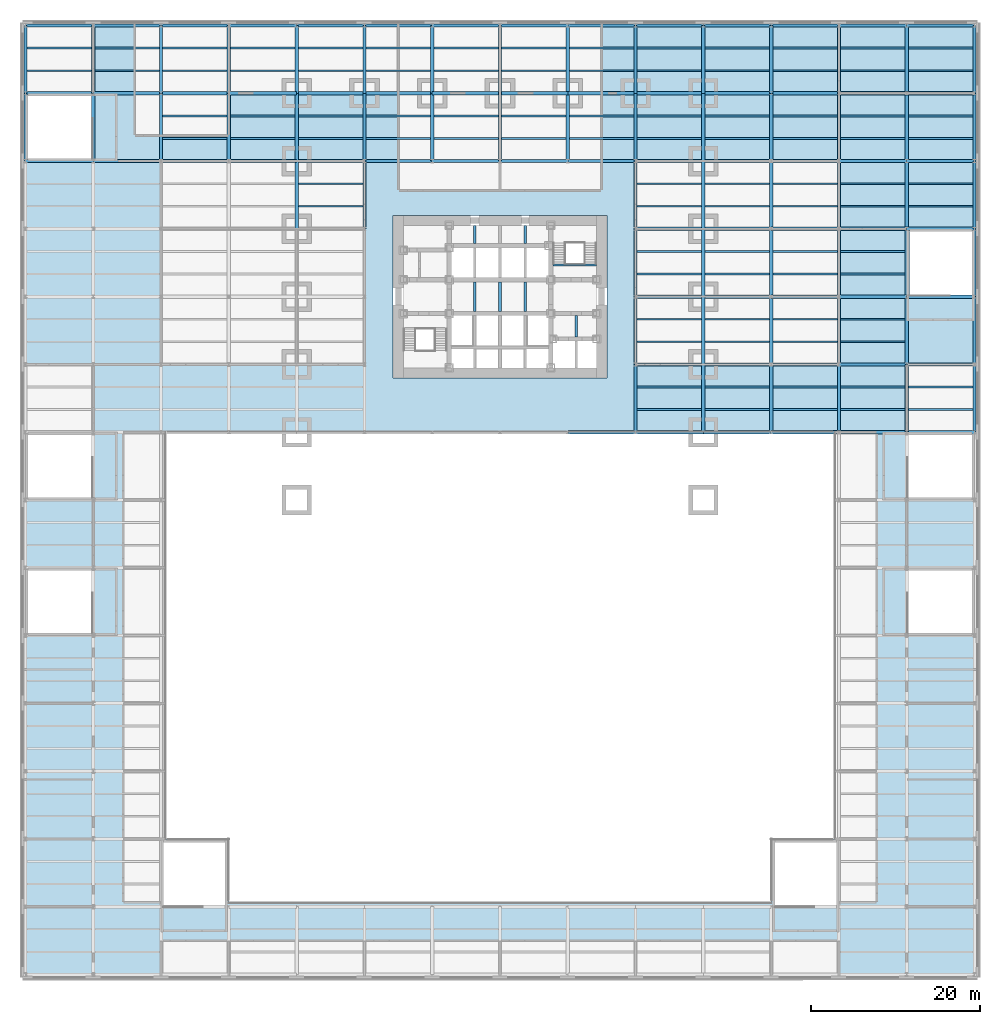
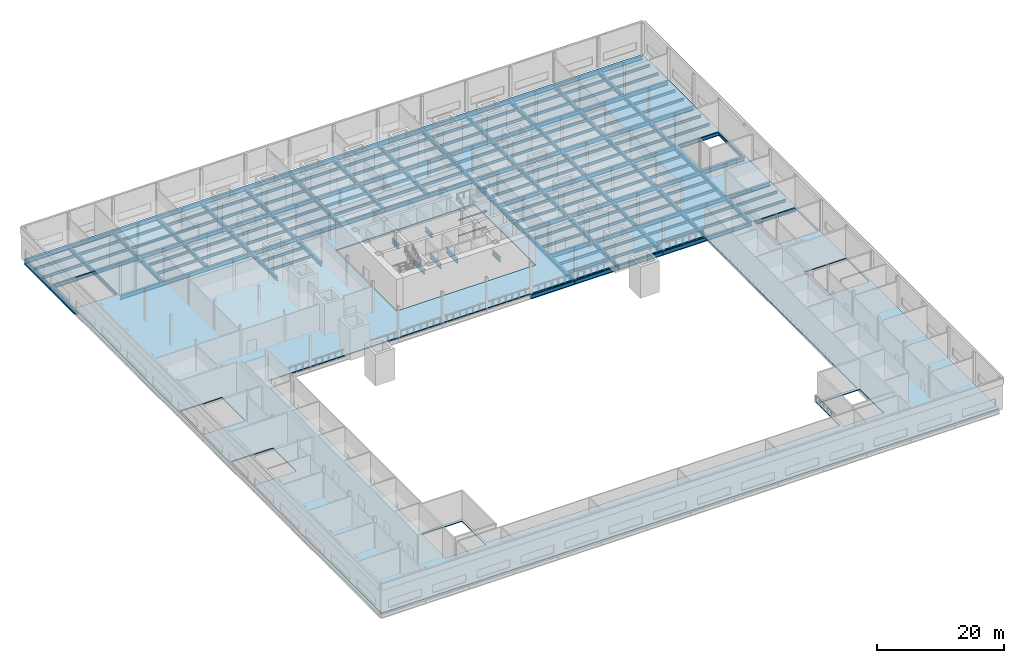
# One storey, part 9 of 21: 217 beams, 1 slab.
"""IFC4 building model written with IfcOpenShell, lengths in metres."""

import ifcopenshell
import ifcopenshell.guid

model = None  # the IFC model being written
_history = None  # IfcOwnerHistory: only IFC2X3 demands one
_inside = {}  # id of a spatial element -> (the spatial element, [elements in it])
_under = {}  # id of a project, library or spatial element -> (it, [spatial elements below it])
_declared = {}  # id of a project -> (the project, [libraries it declares])
_typed = {}  # id of a type object -> (the type object, [elements of that type])
_made_of = {}  # id of a material, layer set ... -> (it, [elements and type objects made of it])


def new_model(schema):
    """Start an empty IFC model of exactly this schema.

    Asked for "IFC4X3", IfcOpenShell would pick the latest addendum, in which some entities
    have other attributes; the version numbers below select the first issue.
    IFC2X3 requires an IfcOwnerHistory on every rooted entity: one is made here for all.
    """
    global model, _history
    if schema == "IFC4X3":
        model = ifcopenshell.file(schema_version=(4, 3, 0, 0))
    else:
        model = ifcopenshell.file(schema=schema)
    _inside.clear()
    _under.clear()
    _declared.clear()
    _typed.clear()
    _made_of.clear()
    _history = None
    if model.schema == "IFC2X3":
        org = make("IfcOrganization", Name="unknown")
        user = make(
            "IfcPersonAndOrganization",
            ThePerson=make("IfcPerson", FamilyName="unknown"),
            TheOrganization=org,
        )
        app = make(
            "IfcApplication",
            ApplicationDeveloper=org,
            Version="unknown",
            ApplicationFullName="unknown",
            ApplicationIdentifier="unknown",
        )
        _history = make(
            "IfcOwnerHistory",
            OwningUser=user,
            OwningApplication=app,
            ChangeAction="ADDED",
            CreationDate=0,
        )
    return model


def make(cls, **values):
    """One entity of the class cls with the attributes given. An attribute that is None is left unset."""
    return model.create_entity(
        cls, **{name: value for name, value in values.items() if value is not None}
    )


def rooted(cls, **values):
    """An entity with a GlobalId (a new one), such as an element, a storey or a relation."""
    return make(cls, GlobalId=ifcopenshell.guid.new(), OwnerHistory=_history, **values)


def si_unit(unit_type, name, prefix=None):
    """IfcSIUnit, for example si_unit("LENGTHUNIT", "METRE", prefix="MILLI")."""
    return make("IfcSIUnit", UnitType=unit_type, Prefix=prefix, Name=name)


def assignment(units):
    """IfcUnitAssignment: the units of a project."""
    return None if units is None else make("IfcUnitAssignment", Units=units)


def point(xyz):
    """IfcCartesianPoint."""
    return None if xyz is None else make("IfcCartesianPoint", Coordinates=xyz)


def direction(xyz):
    """IfcDirection."""
    return None if xyz is None else make("IfcDirection", DirectionRatios=xyz)


def frame(location, z_axis=None, x_axis=None):
    """IfcAxis2Placement3D, a coordinate frame: its origin and axes. An axis left out is left unset."""
    return make(
        "IfcAxis2Placement3D",
        Location=point(location),
        Axis=direction(z_axis),
        RefDirection=direction(x_axis),
    )


def frame_2d(location, x_axis=None):
    """IfcAxis2Placement2D, a coordinate frame in the plane: its origin and x axis."""
    return make(
        "IfcAxis2Placement2D", Location=point(location), RefDirection=direction(x_axis)
    )


def origin():
    """The frame at (0, 0, 0) with its axes left unset."""
    return frame((0.0, 0.0, 0.0))


def origin_2d():
    """The frame at (0, 0) in the plane with its x axis left unset."""
    return frame_2d((0.0, 0.0))


def place(relative_to, where):
    """IfcLocalPlacement: puts the frame where relative to a parent placement (None: the world)."""
    return make(
        "IfcLocalPlacement", PlacementRelTo=relative_to, RelativePlacement=where
    )


def context(
    kind, dimensions, precision=None, world=None, true_north=None, identifier=None
):
    """IfcGeometricRepresentationContext, for example the 3D "Model" context."""
    return make(
        "IfcGeometricRepresentationContext",
        ContextIdentifier=identifier,
        ContextType=kind,
        CoordinateSpaceDimension=dimensions,
        Precision=precision,
        WorldCoordinateSystem=world,
        TrueNorth=true_north,
    )


def subcontext(parent, identifier, kind, view, scale=None):
    """IfcGeometricRepresentationSubContext, for example "Body" below "Model"."""
    return make(
        "IfcGeometricRepresentationSubContext",
        ContextIdentifier=identifier,
        ContextType=kind,
        ParentContext=parent,
        TargetScale=scale,
        TargetView=view,
    )


def project(units=None, contexts=None):
    """IfcProject with its units and contexts."""
    return rooted(
        "IfcProject",
        Name="project",
        RepresentationContexts=contexts,
        UnitsInContext=assignment(units),
    )


def spatial(cls, under=None, at=None, **own):
    """A site, building, storey or space (cls), placed at a placement, below another one or the project."""
    s = rooted(cls, ObjectPlacement=at, **own)
    if under is not None:
        _under.setdefault(under.id(), (under, []))[1].append(s)
    return s


def polyline(points):
    """IfcPolyline through the points."""
    return make("IfcPolyline", Points=[point(p) for p in points])


def profile(cls, at=None, kind="AREA", **sizes):
    """A parametric profile (cls). Its sizes go by their IFC names, for example OverallWidth=200.0."""
    return make(cls, ProfileType=kind, Position=at, **sizes)


def i_section(**sizes):
    """IfcIShapeProfileDef."""
    return profile("IfcIShapeProfileDef", **sizes)


def outline(outer, holes=None, kind="AREA"):
    """IfcArbitraryClosedProfileDef: a profile drawn as a closed curve; with holes, ...WithVoids."""
    if holes is None:
        return make("IfcArbitraryClosedProfileDef", ProfileType=kind, OuterCurve=outer)
    return make(
        "IfcArbitraryProfileDefWithVoids",
        ProfileType=kind,
        OuterCurve=outer,
        InnerCurves=holes,
    )


def extrude(swept, where, along, depth):
    """IfcExtrudedAreaSolid: the profile swept, set in the frame where, extruded along a direction by depth."""
    return make(
        "IfcExtrudedAreaSolid",
        SweptArea=swept,
        Position=where,
        ExtrudedDirection=direction(along),
        Depth=depth,
    )


def shape(context_of_items, identifier, shape_type, items):
    """IfcShapeRepresentation: the items that make up one representation, for example the "Body"."""
    return make(
        "IfcShapeRepresentation",
        ContextOfItems=context_of_items,
        RepresentationIdentifier=identifier,
        RepresentationType=shape_type,
        Items=items,
    )


def material(Name=None, Category=None):
    """IfcMaterial."""
    return make("IfcMaterial", Name=Name, Category=Category)


def layer(
    of_material, thickness, ventilated=None, Name=None, Category=None, Priority=None
):
    """IfcMaterialLayer: one layer of a wall or slab, of a material (None: an air gap)."""
    return make(
        "IfcMaterialLayer",
        Material=of_material,
        LayerThickness=thickness,
        IsVentilated=ventilated,
        Name=Name,
        Category=Category,
        Priority=Priority,
    )


def layer_set(layers, Name=None):
    """IfcMaterialLayerSet."""
    return make("IfcMaterialLayerSet", MaterialLayers=layers, LayerSetName=Name)


def material_profile(
    of_material, cross_section, Name=None, Category=None, Priority=None
):
    """IfcMaterialProfile: a cross section and its material."""
    return make(
        "IfcMaterialProfile",
        Name=Name,
        Material=of_material,
        Profile=cross_section,
        Priority=Priority,
        Category=Category,
    )


def profile_set(profiles, Name=None, composite=None):
    """IfcMaterialProfileSet."""
    return make(
        "IfcMaterialProfileSet",
        Name=Name,
        MaterialProfiles=profiles,
        CompositeProfile=composite,
    )


def made_of(thing, what):
    """Note that an element or type object is made of a material, layer set ...; save() writes the relation."""
    if what is not None:
        _made_of.setdefault(what.id(), (what, []))[1].append(thing)
    return thing


def type_object(cls, material=None, **own):
    """A type object (cls), such as IfcWallType, which elements share."""
    return made_of(rooted(cls, **own), material)


def element(
    cls,
    number,
    at=None,
    inside=None,
    cuts=None,
    type_object=None,
    material=None,
    context=None,
    identifier="Body",
    shape_type=None,
    held_by="IfcProductDefinitionShape",
    body=None,
    shapes=None,
    **own,
):
    """One element of the class cls, such as IfcWall. Its Tag is "e" and its number.

    at: its placement. inside: the storey or other place that contains it. cuts: it is an
    opening in that element (IfcRelVoidsElement). A single representation is given by context,
    identifier, shape_type and body (its items); several are given by shapes. held_by: the class
    of the entity that holds the representations. save() writes the other relations.
    """
    e = rooted(cls, Tag="e%d" % number, ObjectPlacement=at, **own)
    if body is not None:
        shapes = [shape(context, identifier, shape_type, body)]
    if shapes is not None:
        e.Representation = make(held_by, Representations=shapes)
    if inside is not None:
        _inside.setdefault(inside.id(), (inside, []))[1].append(e)
    if cuts is not None:
        rooted(
            "IfcRelVoidsElement", RelatingBuildingElement=cuts, RelatedOpeningElement=e
        )
    if type_object is not None:
        _typed.setdefault(type_object.id(), (type_object, []))[1].append(e)
    return made_of(e, material)


def aggregate(whole, parts):
    """IfcRelAggregates: a whole, such as a stair, and the parts it consists of."""
    return rooted("IfcRelAggregates", RelatingObject=whole, RelatedObjects=parts)


def save(model, path):
    """Write the relations noted so far, then the file.

    IfcRelAggregates (storeys below a building ...), IfcRelContainedInSpatialStructure (elements
    in a storey), IfcRelDefinesByType, IfcRelAssociatesMaterial and IfcRelDeclares: one each for
    every whole, place, type object, material and project.
    """
    for whole, parts in _under.values():
        aggregate(whole, parts)
    for where, things in _inside.values():
        rooted(
            "IfcRelContainedInSpatialStructure",
            RelatedElements=things,
            RelatingStructure=where,
        )
    for kind, things in _typed.values():
        rooted("IfcRelDefinesByType", RelatedObjects=things, RelatingType=kind)
    for what, things in _made_of.values():
        rooted("IfcRelAssociatesMaterial", RelatedObjects=things, RelatingMaterial=what)
    for by, libraries in _declared.values():
        rooted("IfcRelDeclares", RelatingContext=by, RelatedDefinitions=libraries)
    model.write(path)


model = new_model("IFC4")

# Units and contexts
model_context = context("Model", 3, precision=1e-05, world=origin(), true_north=direction((0.0, 1.0)))
body_context = subcontext(model_context, "Body", "Model", "MODEL_VIEW")
ifc_project = project(units=[si_unit("LENGTHUNIT", "METRE"), si_unit("AREAUNIT", "SQUARE_METRE"), si_unit("VOLUMEUNIT", "CUBIC_METRE"), si_unit("PLANEANGLEUNIT", "RADIAN"), si_unit("MASSUNIT", "GRAM", prefix="KILO")], contexts=[model_context])

# Site, building, storey
site_placement = place(None, origin())
site = spatial("IfcSite", under=ifc_project, at=site_placement, CompositionType="ELEMENT")
building_placement = place(site_placement, origin())
building = spatial("IfcBuilding", under=site, at=building_placement, Name="Daluyong Arena Tower", CompositionType="ELEMENT")
storey_placement = place(building_placement, frame((0.0, 0.0, 19.89990234375)))
storey = spatial("IfcBuildingStorey", under=building, at=storey_placement, Name="L04", CompositionType="ELEMENT", Elevation=19.89990234375)

# Beams
ifc_material_1 = material(Name="Steel ASTM A572 Grade 50", Category="steel")
ifc_material_profile_1 = material_profile(ifc_material_1, i_section(OverallWidth=0.300048828125, OverallDepth=0.89990234375, WebThickness=0.025, FlangeThickness=0.04, at=origin_2d()))
ifc_profile_set_1 = profile_set([ifc_material_profile_1], Name="Steel ASTM A572 Grade 50")
beam_type_1 = type_object("IfcBeamType", Name="Lift divider beam PG900X300", PredefinedType="BEAM", material=ifc_profile_set_1)
beam_1_placement = place(storey_placement, frame((53.0, 78.25, -0.64990234375), z_axis=(0.0, 1.0, 0.0), x_axis=(-1.0, 0.0, 0.0)))
element("IfcBeam", 1, at=beam_1_placement, inside=storey, type_object=beam_type_1, Name="lift divider beam DB1", PredefinedType="BEAM", context=body_context, shape_type="SweptSolid", body=[
    extrude(i_section(OverallWidth=0.300048828125, OverallDepth=0.89990234375, WebThickness=0.025, FlangeThickness=0.04, at=origin_2d()), origin(), (0.0, 0.0, 1.0), 3.5),
])
beam_2_placement = place(storey_placement, frame((53.0, 86.25, -0.64990234375), z_axis=(0.0, 1.0, 0.0), x_axis=(-1.0, 0.0, 0.0)))
element("IfcBeam", 2, at=beam_2_placement, inside=storey, type_object=beam_type_1, Name="lift divider beam DB1", PredefinedType="BEAM", context=body_context, shape_type="SweptSolid", body=[
    extrude(i_section(OverallWidth=0.300048828125, OverallDepth=0.89990234375, WebThickness=0.025, FlangeThickness=0.04, at=origin_2d()), origin(), (0.0, 0.0, 1.0), 2.14990234375),
])
for number, where, z_axis, x_axis, name in (
    (3, (56.0, 78.25, -0.64990234375), (0.0, 1.0, 0.0), (-1.0, 0.0, 0.0), "lift divider beam DB1"),
    (4, (59.0, 78.25, -0.64990234375), (0.0, 1.0, 0.0), (-1.0, 0.0, 0.0), "lift divider beam DB1"),
):
    element("IfcBeam", number, at=place(storey_placement, frame(where, z_axis=z_axis, x_axis=x_axis)), inside=storey, type_object=beam_type_1, Name=name, PredefinedType="BEAM", context=body_context, shape_type="SweptSolid", body=[
        extrude(i_section(OverallWidth=0.300048828125, OverallDepth=0.89990234375, WebThickness=0.025, FlangeThickness=0.04, at=origin_2d()), origin(), (0.0, 0.0, 1.0), 3.5),
    ])
beam_3_placement = place(storey_placement, frame((59.0, 86.25, -0.64990234375), z_axis=(0.0, 1.0, 0.0), x_axis=(-1.0, 0.0, 0.0)))
element("IfcBeam", 5, at=beam_3_placement, inside=storey, type_object=beam_type_1, Name="lift divider beam DB1", PredefinedType="BEAM", context=body_context, shape_type="SweptSolid", body=[
    extrude(i_section(OverallWidth=0.300048828125, OverallDepth=0.89990234375, WebThickness=0.025, FlangeThickness=0.04, at=origin_2d()), origin(), (0.0, 0.0, 1.0), 2.14990234375),
])
beam_4_placement = place(storey_placement, frame((65.0, 75.25, -0.64990234375), z_axis=(0.0, 1.0, 0.0), x_axis=(-1.0, 0.0, 0.0)))
element("IfcBeam", 6, at=beam_4_placement, inside=storey, type_object=beam_type_1, Name="lift divider beam DB1", PredefinedType="BEAM", context=body_context, shape_type="SweptSolid", body=[
    extrude(i_section(OverallWidth=0.300048828125, OverallDepth=0.89990234375, WebThickness=0.025, FlangeThickness=0.04, at=origin_2d()), origin(), (0.0, 0.0, 1.0), 2.5),
])
ifc_material_2 = material(Name="Steel ASTM A992 Grade 50", Category="steel")
ifc_material_profile_2 = material_profile(ifc_material_2, i_section(OverallWidth=0.209228515625, OverallDepth=0.533447265625, WebThickness=0.01025390625, FlangeThickness=0.015625, at=origin_2d()))
ifc_profile_set_2 = profile_set([ifc_material_profile_2], Name="Steel ASTM A992 Grade 50")
beam_type_2 = type_object("IfcBeamType", Name="Podium floor beam W21X62", PredefinedType="BEAM", material=ifc_profile_set_2)
for number, where, z_axis, x_axis, name in (
    (7, (0.1904296875, 106.666748046875, -0.466552734375), (1.0, 0.0, 0.0), (0.0, 1.0, 0.0), "podium floor beam PB1"),
    (8, (0.1904296875, 109.333251953125, -0.466552734375), (1.0, 0.0, 0.0), (0.0, 1.0, 0.0), "podium floor beam PB1"),
    (9, (8.1904296875, 106.666748046875, -0.466552734375), (1.0, 0.0, 0.0), (0.0, 1.0, 0.0), "podium floor beam PB1"),
    (10, (8.1904296875, 109.333251953125, -0.466552734375), (1.0, 0.0, 0.0), (0.0, 1.0, 0.0), "podium floor beam PB1"),
    (11, (16.1904296875, 98.666748046875, -0.466552734375), (1.0, 0.0, 0.0), (0.0, 1.0, 0.0), "podium floor beam PB1"),
    (12, (16.1904296875, 101.333251953125, -0.466552734375), (1.0, 0.0, 0.0), (0.0, 1.0, 0.0), "podium floor beam PB1"),
    (13, (16.1904296875, 106.666748046875, -0.466552734375), (1.0, 0.0, 0.0), (0.0, 1.0, 0.0), "podium floor beam PB1"),
    (14, (16.1904296875, 109.333251953125, -0.466552734375), (1.0, 0.0, 0.0), (0.0, 1.0, 0.0), "podium floor beam PB1"),
    (15, (24.1904296875, 98.666748046875, -0.466552734375), (1.0, 0.0, 0.0), (0.0, 1.0, 0.0), "podium floor beam PB1"),
    (16, (24.1904296875, 101.333251953125, -0.466552734375), (1.0, 0.0, 0.0), (0.0, 1.0, 0.0), "podium floor beam PB1"),
    (17, (24.1904296875, 106.666748046875, -0.466552734375), (1.0, 0.0, 0.0), (0.0, 1.0, 0.0), "podium floor beam PB1"),
    (18, (24.1904296875, 109.333251953125, -0.466552734375), (1.0, 0.0, 0.0), (0.0, 1.0, 0.0), "podium floor beam PB1"),
    (19, (32.1904296875, 90.666748046875, -0.466552734375), (1.0, 0.0, 0.0), (0.0, 1.0, 0.0), "podium floor beam PB1"),
    (20, (32.1904296875, 93.333251953125, -0.466552734375), (1.0, 0.0, 0.0), (0.0, 1.0, 0.0), "podium floor beam PB1"),
    (21, (32.1904296875, 98.666748046875, -0.466552734375), (1.0, 0.0, 0.0), (0.0, 1.0, 0.0), "podium floor beam PB1"),
    (22, (32.1904296875, 101.333251953125, -0.466552734375), (1.0, 0.0, 0.0), (0.0, 1.0, 0.0), "podium floor beam PB1"),
    (23, (32.1904296875, 106.666748046875, -0.466552734375), (1.0, 0.0, 0.0), (0.0, 1.0, 0.0), "podium floor beam PB1"),
    (24, (32.1904296875, 109.333251953125, -0.466552734375), (1.0, 0.0, 0.0), (0.0, 1.0, 0.0), "podium floor beam PB1"),
    (25, (40.1904296875, 98.666748046875, -0.466552734375), (1.0, 0.0, 0.0), (0.0, 1.0, 0.0), "podium floor beam PB1"),
    (26, (40.1904296875, 101.333251953125, -0.466552734375), (1.0, 0.0, 0.0), (0.0, 1.0, 0.0), "podium floor beam PB1"),
    (27, (40.1904296875, 106.666748046875, -0.466552734375), (1.0, 0.0, 0.0), (0.0, 1.0, 0.0), "podium floor beam PB1"),
    (28, (40.1904296875, 109.333251953125, -0.466552734375), (1.0, 0.0, 0.0), (0.0, 1.0, 0.0), "podium floor beam PB1"),
    (29, (48.1904296875, 98.666748046875, -0.466552734375), (1.0, 0.0, 0.0), (0.0, 1.0, 0.0), "podium floor beam PB1"),
    (30, (48.1904296875, 101.333251953125, -0.466552734375), (1.0, 0.0, 0.0), (0.0, 1.0, 0.0), "podium floor beam PB1"),
    (31, (48.1904296875, 106.666748046875, -0.466552734375), (1.0, 0.0, 0.0), (0.0, 1.0, 0.0), "podium floor beam PB1"),
    (32, (48.1904296875, 109.333251953125, -0.466552734375), (1.0, 0.0, 0.0), (0.0, 1.0, 0.0), "podium floor beam PB1"),
    (33, (56.1904296875, 98.666748046875, -0.466552734375), (1.0, 0.0, 0.0), (0.0, 1.0, 0.0), "podium floor beam PB1"),
    (34, (56.1904296875, 101.333251953125, -0.466552734375), (1.0, 0.0, 0.0), (0.0, 1.0, 0.0), "podium floor beam PB1"),
    (35, (56.1904296875, 106.666748046875, -0.466552734375), (1.0, 0.0, 0.0), (0.0, 1.0, 0.0), "podium floor beam PB1"),
    (36, (56.1904296875, 109.333251953125, -0.466552734375), (1.0, 0.0, 0.0), (0.0, 1.0, 0.0), "podium floor beam PB1"),
    (37, (64.1904296875, 98.666748046875, -0.466552734375), (1.0, 0.0, 0.0), (0.0, 1.0, 0.0), "podium floor beam PB1"),
    (38, (64.1904296875, 101.333251953125, -0.466552734375), (1.0, 0.0, 0.0), (0.0, 1.0, 0.0), "podium floor beam PB1"),
    (39, (64.1904296875, 106.666748046875, -0.466552734375), (1.0, 0.0, 0.0), (0.0, 1.0, 0.0), "podium floor beam PB1"),
    (40, (64.1904296875, 109.333251953125, -0.466552734375), (1.0, 0.0, 0.0), (0.0, 1.0, 0.0), "podium floor beam PB1"),
    (41, (72.1904296875, 66.666748046875, -0.466552734375), (1.0, 0.0, 0.0), (0.0, 1.0, 0.0), "podium floor beam PB1"),
    (42, (72.1904296875, 69.333251953125, -0.466552734375), (1.0, 0.0, 0.0), (0.0, 1.0, 0.0), "podium floor beam PB1"),
    (43, (72.1904296875, 74.666748046875, -0.466552734375), (1.0, 0.0, 0.0), (0.0, 1.0, 0.0), "podium floor beam PB1"),
    (44, (72.1904296875, 77.333251953125, -0.466552734375), (1.0, 0.0, 0.0), (0.0, 1.0, 0.0), "podium floor beam PB1"),
    (45, (72.1904296875, 82.666748046875, -0.466552734375), (1.0, 0.0, 0.0), (0.0, 1.0, 0.0), "podium floor beam PB1"),
    (46, (72.1904296875, 85.333251953125, -0.466552734375), (1.0, 0.0, 0.0), (0.0, 1.0, 0.0), "podium floor beam PB1"),
    (47, (72.1904296875, 90.666748046875, -0.466552734375), (1.0, 0.0, 0.0), (0.0, 1.0, 0.0), "podium floor beam PB1"),
    (48, (72.1904296875, 93.333251953125, -0.466552734375), (1.0, 0.0, 0.0), (0.0, 1.0, 0.0), "podium floor beam PB1"),
    (49, (72.1904296875, 98.666748046875, -0.466552734375), (1.0, 0.0, 0.0), (0.0, 1.0, 0.0), "podium floor beam PB1"),
    (50, (72.1904296875, 101.333251953125, -0.466552734375), (1.0, 0.0, 0.0), (0.0, 1.0, 0.0), "podium floor beam PB1"),
    (51, (72.1904296875, 106.666748046875, -0.466552734375), (1.0, 0.0, 0.0), (0.0, 1.0, 0.0), "podium floor beam PB1"),
    (52, (72.1904296875, 109.333251953125, -0.466552734375), (1.0, 0.0, 0.0), (0.0, 1.0, 0.0), "podium floor beam PB1"),
    (53, (80.1904296875, 66.666748046875, -0.466552734375), (1.0, 0.0, 0.0), (0.0, 1.0, 0.0), "podium floor beam PB1"),
    (54, (80.1904296875, 69.333251953125, -0.466552734375), (1.0, 0.0, 0.0), (0.0, 1.0, 0.0), "podium floor beam PB1"),
    (55, (80.1904296875, 74.666748046875, -0.466552734375), (1.0, 0.0, 0.0), (0.0, 1.0, 0.0), "podium floor beam PB1"),
    (56, (80.1904296875, 77.333251953125, -0.466552734375), (1.0, 0.0, 0.0), (0.0, 1.0, 0.0), "podium floor beam PB1"),
    (57, (80.1904296875, 82.666748046875, -0.466552734375), (1.0, 0.0, 0.0), (0.0, 1.0, 0.0), "podium floor beam PB1"),
    (58, (80.1904296875, 85.333251953125, -0.466552734375), (1.0, 0.0, 0.0), (0.0, 1.0, 0.0), "podium floor beam PB1"),
    (59, (80.1904296875, 90.666748046875, -0.466552734375), (1.0, 0.0, 0.0), (0.0, 1.0, 0.0), "podium floor beam PB1"),
    (60, (80.1904296875, 93.333251953125, -0.466552734375), (1.0, 0.0, 0.0), (0.0, 1.0, 0.0), "podium floor beam PB1"),
    (61, (80.1904296875, 98.666748046875, -0.466552734375), (1.0, 0.0, 0.0), (0.0, 1.0, 0.0), "podium floor beam PB1"),
    (62, (80.1904296875, 101.333251953125, -0.466552734375), (1.0, 0.0, 0.0), (0.0, 1.0, 0.0), "podium floor beam PB1"),
    (63, (80.1904296875, 106.666748046875, -0.466552734375), (1.0, 0.0, 0.0), (0.0, 1.0, 0.0), "podium floor beam PB1"),
    (64, (80.1904296875, 109.333251953125, -0.466552734375), (1.0, 0.0, 0.0), (0.0, 1.0, 0.0), "podium floor beam PB1"),
    (65, (88.1904296875, 66.666748046875, -0.466552734375), (1.0, 0.0, 0.0), (0.0, 1.0, 0.0), "podium floor beam PB1"),
    (66, (88.1904296875, 69.333251953125, -0.466552734375), (1.0, 0.0, 0.0), (0.0, 1.0, 0.0), "podium floor beam PB1"),
    (67, (88.1904296875, 74.666748046875, -0.466552734375), (1.0, 0.0, 0.0), (0.0, 1.0, 0.0), "podium floor beam PB1"),
    (68, (88.1904296875, 77.333251953125, -0.466552734375), (1.0, 0.0, 0.0), (0.0, 1.0, 0.0), "podium floor beam PB1"),
    (69, (88.1904296875, 82.666748046875, -0.466552734375), (1.0, 0.0, 0.0), (0.0, 1.0, 0.0), "podium floor beam PB1"),
    (70, (88.1904296875, 85.333251953125, -0.466552734375), (1.0, 0.0, 0.0), (0.0, 1.0, 0.0), "podium floor beam PB1"),
    (71, (88.1904296875, 90.666748046875, -0.466552734375), (1.0, 0.0, 0.0), (0.0, 1.0, 0.0), "podium floor beam PB1"),
    (72, (88.1904296875, 93.333251953125, -0.466552734375), (1.0, 0.0, 0.0), (0.0, 1.0, 0.0), "podium floor beam PB1"),
    (73, (88.1904296875, 98.666748046875, -0.466552734375), (1.0, 0.0, 0.0), (0.0, 1.0, 0.0), "podium floor beam PB1"),
    (74, (88.1904296875, 101.333251953125, -0.466552734375), (1.0, 0.0, 0.0), (0.0, 1.0, 0.0), "podium floor beam PB1"),
    (75, (88.1904296875, 106.666748046875, -0.466552734375), (1.0, 0.0, 0.0), (0.0, 1.0, 0.0), "podium floor beam PB1"),
    (76, (88.1904296875, 109.333251953125, -0.466552734375), (1.0, 0.0, 0.0), (0.0, 1.0, 0.0), "podium floor beam PB1"),
    (77, (96.1904296875, 66.666748046875, -0.466552734375), (1.0, 0.0, 0.0), (0.0, 1.0, 0.0), "podium floor beam PB1"),
    (78, (96.1904296875, 69.333251953125, -0.466552734375), (1.0, 0.0, 0.0), (0.0, 1.0, 0.0), "podium floor beam PB1"),
    (79, (96.1904296875, 74.666748046875, -0.466552734375), (1.0, 0.0, 0.0), (0.0, 1.0, 0.0), "podium floor beam PB1"),
    (80, (96.1904296875, 77.333251953125, -0.466552734375), (1.0, 0.0, 0.0), (0.0, 1.0, 0.0), "podium floor beam PB1"),
    (81, (96.1904296875, 82.666748046875, -0.466552734375), (1.0, 0.0, 0.0), (0.0, 1.0, 0.0), "podium floor beam PB1"),
    (82, (96.1904296875, 85.333251953125, -0.466552734375), (1.0, 0.0, 0.0), (0.0, 1.0, 0.0), "podium floor beam PB1"),
    (83, (96.1904296875, 90.666748046875, -0.466552734375), (1.0, 0.0, 0.0), (0.0, 1.0, 0.0), "podium floor beam PB1"),
    (84, (96.1904296875, 93.333251953125, -0.466552734375), (1.0, 0.0, 0.0), (0.0, 1.0, 0.0), "podium floor beam PB1"),
    (85, (96.1904296875, 98.666748046875, -0.466552734375), (1.0, 0.0, 0.0), (0.0, 1.0, 0.0), "podium floor beam PB1"),
    (86, (96.1904296875, 101.333251953125, -0.466552734375), (1.0, 0.0, 0.0), (0.0, 1.0, 0.0), "podium floor beam PB1"),
    (87, (96.1904296875, 106.666748046875, -0.466552734375), (1.0, 0.0, 0.0), (0.0, 1.0, 0.0), "podium floor beam PB1"),
    (88, (96.1904296875, 109.333251953125, -0.466552734375), (1.0, 0.0, 0.0), (0.0, 1.0, 0.0), "podium floor beam PB1"),
    (89, (104.1904296875, 66.666748046875, -0.466552734375), (1.0, 0.0, 0.0), (0.0, 1.0, 0.0), "podium floor beam PB1"),
    (90, (104.1904296875, 69.333251953125, -0.466552734375), (1.0, 0.0, 0.0), (0.0, 1.0, 0.0), "podium floor beam PB1"),
    (91, (104.1904296875, 90.666748046875, -0.466552734375), (1.0, 0.0, 0.0), (0.0, 1.0, 0.0), "podium floor beam PB1"),
    (92, (104.1904296875, 93.333251953125, -0.466552734375), (1.0, 0.0, 0.0), (0.0, 1.0, 0.0), "podium floor beam PB1"),
    (93, (104.1904296875, 98.666748046875, -0.466552734375), (1.0, 0.0, 0.0), (0.0, 1.0, 0.0), "podium floor beam PB1"),
    (94, (104.1904296875, 101.333251953125, -0.466552734375), (1.0, 0.0, 0.0), (0.0, 1.0, 0.0), "podium floor beam PB1"),
    (95, (104.1904296875, 106.666748046875, -0.466552734375), (1.0, 0.0, 0.0), (0.0, 1.0, 0.0), "podium floor beam PB1"),
    (96, (104.1904296875, 109.333251953125, -0.466552734375), (1.0, 0.0, 0.0), (0.0, 1.0, 0.0), "podium floor beam PB1"),
):
    element("IfcBeam", number, at=place(storey_placement, frame(where, z_axis=z_axis, x_axis=x_axis)), inside=storey, type_object=beam_type_2, Name=name, PredefinedType="BEAM", context=body_context, shape_type="SweptSolid", body=[
        extrude(i_section(OverallWidth=0.209228515625, OverallDepth=0.533447265625, WebThickness=0.01025390625, FlangeThickness=0.015625, at=origin_2d()), origin(), (0.0, 0.0, 1.0), 7.619140625),
    ])
ifc_material_3 = material(Name="Steel ASTM A992 Grade 50", Category="steel")
ifc_material_profile_3 = material_profile(ifc_material_3, i_section(OverallWidth=0.381103515625, OverallDepth=0.772216796875, WebThickness=0.0166015625, FlangeThickness=0.027099609375, at=origin_2d()))
ifc_profile_set_3 = profile_set([ifc_material_profile_3], Name="Steel ASTM A992 Grade 50")
beam_type_3 = type_object("IfcBeamType", Name="Podium girder W30X173", PredefinedType="BEAM", material=ifc_profile_set_3)
for number, where, z_axis, x_axis, name in (
    (97, (0.0, 96.0, -0.5859375), (1.0, 0.0, 0.0), (0.0, 1.0, 0.0), "podium girder PG1"),
    (98, (0.0, 96.0, -0.5859375), (0.0, 1.0, 0.0), (-1.0, 0.0, 0.0), "podium girder PG1"),
    (99, (0.0, 104.0, -0.5859375), (1.0, 0.0, 0.0), (0.0, 1.0, 0.0), "podium girder PG1"),
    (100, (0.0, 104.0, -0.5859375), (0.0, 1.0, 0.0), (-1.0, 0.0, 0.0), "podium girder PG1"),
    (101, (0.0, 112.0, -0.5859375), (1.0, 0.0, 0.0), (0.0, 1.0, 0.0), "podium girder PG1"),
    (102, (8.0, 96.0, -0.5859375), (1.0, 0.0, 0.0), (0.0, 1.0, 0.0), "podium girder PG1"),
    (103, (8.0, 96.0, -0.5859375), (0.0, 1.0, 0.0), (-1.0, 0.0, 0.0), "podium girder PG1"),
    (104, (8.0, 104.0, -0.5859375), (1.0, 0.0, 0.0), (0.0, 1.0, 0.0), "podium girder PG1"),
    (105, (8.0, 104.0, -0.5859375), (0.0, 1.0, 0.0), (-1.0, 0.0, 0.0), "podium girder PG1"),
    (106, (8.0, 112.0, -0.5859375), (1.0, 0.0, 0.0), (0.0, 1.0, 0.0), "podium girder PG1"),
    (107, (16.0, 96.0, -0.5859375), (1.0, 0.0, 0.0), (0.0, 1.0, 0.0), "podium girder PG1"),
    (108, (16.0, 96.0, -0.5859375), (0.0, 1.0, 0.0), (-1.0, 0.0, 0.0), "podium girder PG1"),
    (109, (16.0, 104.0, -0.5859375), (1.0, 0.0, 0.0), (0.0, 1.0, 0.0), "podium girder PG1"),
    (110, (16.0, 104.0, -0.5859375), (0.0, 1.0, 0.0), (-1.0, 0.0, 0.0), "podium girder PG1"),
    (111, (16.0, 112.0, -0.5859375), (1.0, 0.0, 0.0), (0.0, 1.0, 0.0), "podium girder PG1"),
    (112, (24.0, 96.0, -0.5859375), (1.0, 0.0, 0.0), (0.0, 1.0, 0.0), "podium girder PG1"),
    (113, (24.0, 96.0, -0.5859375), (0.0, 1.0, 0.0), (-1.0, 0.0, 0.0), "podium girder PG1"),
    (114, (24.0, 104.0, -0.5859375), (1.0, 0.0, 0.0), (0.0, 1.0, 0.0), "podium girder PG1"),
    (115, (24.0, 104.0, -0.5859375), (0.0, 1.0, 0.0), (-1.0, 0.0, 0.0), "podium girder PG1"),
    (116, (24.0, 112.0, -0.5859375), (1.0, 0.0, 0.0), (0.0, 1.0, 0.0), "podium girder PG1"),
    (117, (32.0, 88.0, -0.5859375), (0.0, 1.0, 0.0), (-1.0, 0.0, 0.0), "podium girder PG1"),
    (118, (32.0, 96.0, -0.5859375), (1.0, 0.0, 0.0), (0.0, 1.0, 0.0), "podium girder PG1"),
    (119, (32.0, 96.0, -0.5859375), (0.0, 1.0, 0.0), (-1.0, 0.0, 0.0), "podium girder PG1"),
    (120, (32.0, 104.0, -0.5859375), (1.0, 0.0, 0.0), (0.0, 1.0, 0.0), "podium girder PG1"),
    (121, (32.0, 104.0, -0.5859375), (0.0, 1.0, 0.0), (-1.0, 0.0, 0.0), "podium girder PG1"),
    (122, (32.0, 112.0, -0.5859375), (1.0, 0.0, 0.0), (0.0, 1.0, 0.0), "podium girder PG1"),
    (123, (40.0, 88.0, -0.5859375), (0.0, 1.0, 0.0), (-1.0, 0.0, 0.0), "podium girder PG1"),
    (124, (40.0, 96.0, -0.5859375), (1.0, 0.0, 0.0), (0.0, 1.0, 0.0), "podium girder PG1"),
    (125, (40.0, 96.0, -0.5859375), (0.0, 1.0, 0.0), (-1.0, 0.0, 0.0), "podium girder PG1"),
    (126, (40.0, 104.0, -0.5859375), (1.0, 0.0, 0.0), (0.0, 1.0, 0.0), "podium girder PG1"),
    (127, (40.0, 104.0, -0.5859375), (0.0, 1.0, 0.0), (-1.0, 0.0, 0.0), "podium girder PG1"),
    (128, (40.0, 112.0, -0.5859375), (1.0, 0.0, 0.0), (0.0, 1.0, 0.0), "podium girder PG1"),
    (129, (48.0, 96.0, -0.5859375), (1.0, 0.0, 0.0), (0.0, 1.0, 0.0), "podium girder PG1"),
    (130, (48.0, 96.0, -0.5859375), (0.0, 1.0, 0.0), (-1.0, 0.0, 0.0), "podium girder PG1"),
    (131, (48.0, 104.0, -0.5859375), (1.0, 0.0, 0.0), (0.0, 1.0, 0.0), "podium girder PG1"),
    (132, (48.0, 104.0, -0.5859375), (0.0, 1.0, 0.0), (-1.0, 0.0, 0.0), "podium girder PG1"),
    (133, (48.0, 112.0, -0.5859375), (1.0, 0.0, 0.0), (0.0, 1.0, 0.0), "podium girder PG1"),
    (134, (56.0, 96.0, -0.5859375), (1.0, 0.0, 0.0), (0.0, 1.0, 0.0), "podium girder PG1"),
    (135, (56.0, 96.0, -0.5859375), (0.0, 1.0, 0.0), (-1.0, 0.0, 0.0), "podium girder PG1"),
    (136, (56.0, 104.0, -0.5859375), (1.0, 0.0, 0.0), (0.0, 1.0, 0.0), "podium girder PG1"),
    (137, (56.0, 104.0, -0.5859375), (0.0, 1.0, 0.0), (-1.0, 0.0, 0.0), "podium girder PG1"),
    (138, (56.0, 112.0, -0.5859375), (1.0, 0.0, 0.0), (0.0, 1.0, 0.0), "podium girder PG1"),
    (139, (64.0, 64.0, -0.5859375), (1.0, 0.0, 0.0), (0.0, 1.0, 0.0), "podium girder PG1"),
    (140, (64.0, 96.0, -0.5859375), (1.0, 0.0, 0.0), (0.0, 1.0, 0.0), "podium girder PG1"),
    (141, (64.0, 96.0, -0.5859375), (0.0, 1.0, 0.0), (-1.0, 0.0, 0.0), "podium girder PG1"),
    (142, (64.0, 104.0, -0.5859375), (1.0, 0.0, 0.0), (0.0, 1.0, 0.0), "podium girder PG1"),
    (143, (64.0, 104.0, -0.5859375), (0.0, 1.0, 0.0), (-1.0, 0.0, 0.0), "podium girder PG1"),
    (144, (64.0, 112.0, -0.5859375), (1.0, 0.0, 0.0), (0.0, 1.0, 0.0), "podium girder PG1"),
    (145, (72.0, 64.0, -0.5859375), (1.0, 0.0, 0.0), (0.0, 1.0, 0.0), "podium girder PG1"),
    (146, (72.0, 64.0, -0.5859375), (0.0, 1.0, 0.0), (-1.0, 0.0, 0.0), "podium girder PG1"),
    (147, (72.0, 72.0, -0.5859375), (1.0, 0.0, 0.0), (0.0, 1.0, 0.0), "podium girder PG1"),
    (148, (72.0, 72.0, -0.5859375), (0.0, 1.0, 0.0), (-1.0, 0.0, 0.0), "podium girder PG1"),
    (149, (72.0, 80.0, -0.5859375), (1.0, 0.0, 0.0), (0.0, 1.0, 0.0), "podium girder PG1"),
    (150, (72.0, 80.0, -0.5859375), (0.0, 1.0, 0.0), (-1.0, 0.0, 0.0), "podium girder PG1"),
    (151, (72.0, 88.0, -0.5859375), (1.0, 0.0, 0.0), (0.0, 1.0, 0.0), "podium girder PG1"),
    (152, (72.0, 88.0, -0.5859375), (0.0, 1.0, 0.0), (-1.0, 0.0, 0.0), "podium girder PG1"),
    (153, (72.0, 96.0, -0.5859375), (1.0, 0.0, 0.0), (0.0, 1.0, 0.0), "podium girder PG1"),
    (154, (72.0, 96.0, -0.5859375), (0.0, 1.0, 0.0), (-1.0, 0.0, 0.0), "podium girder PG1"),
    (155, (72.0, 104.0, -0.5859375), (1.0, 0.0, 0.0), (0.0, 1.0, 0.0), "podium girder PG1"),
    (156, (72.0, 104.0, -0.5859375), (0.0, 1.0, 0.0), (-1.0, 0.0, 0.0), "podium girder PG1"),
    (157, (72.0, 112.0, -0.5859375), (1.0, 0.0, 0.0), (0.0, 1.0, 0.0), "podium girder PG1"),
    (158, (80.0, 64.0, -0.5859375), (1.0, 0.0, 0.0), (0.0, 1.0, 0.0), "podium girder PG1"),
    (159, (80.0, 64.0, -0.5859375), (0.0, 1.0, 0.0), (-1.0, 0.0, 0.0), "podium girder PG1"),
    (160, (80.0, 72.0, -0.5859375), (1.0, 0.0, 0.0), (0.0, 1.0, 0.0), "podium girder PG1"),
    (161, (80.0, 72.0, -0.5859375), (0.0, 1.0, 0.0), (-1.0, 0.0, 0.0), "podium girder PG1"),
    (162, (80.0, 80.0, -0.5859375), (1.0, 0.0, 0.0), (0.0, 1.0, 0.0), "podium girder PG1"),
    (163, (80.0, 80.0, -0.5859375), (0.0, 1.0, 0.0), (-1.0, 0.0, 0.0), "podium girder PG1"),
    (164, (80.0, 88.0, -0.5859375), (1.0, 0.0, 0.0), (0.0, 1.0, 0.0), "podium girder PG1"),
    (165, (80.0, 88.0, -0.5859375), (0.0, 1.0, 0.0), (-1.0, 0.0, 0.0), "podium girder PG1"),
    (166, (80.0, 96.0, -0.5859375), (1.0, 0.0, 0.0), (0.0, 1.0, 0.0), "podium girder PG1"),
    (167, (80.0, 96.0, -0.5859375), (0.0, 1.0, 0.0), (-1.0, 0.0, 0.0), "podium girder PG1"),
    (168, (80.0, 104.0, -0.5859375), (1.0, 0.0, 0.0), (0.0, 1.0, 0.0), "podium girder PG1"),
    (169, (80.0, 104.0, -0.5859375), (0.0, 1.0, 0.0), (-1.0, 0.0, 0.0), "podium girder PG1"),
    (170, (80.0, 112.0, -0.5859375), (1.0, 0.0, 0.0), (0.0, 1.0, 0.0), "podium girder PG1"),
    (171, (88.0, 64.0, -0.5859375), (1.0, 0.0, 0.0), (0.0, 1.0, 0.0), "podium girder PG1"),
    (172, (88.0, 64.0, -0.5859375), (0.0, 1.0, 0.0), (-1.0, 0.0, 0.0), "podium girder PG1"),
    (173, (88.0, 72.0, -0.5859375), (1.0, 0.0, 0.0), (0.0, 1.0, 0.0), "podium girder PG1"),
    (174, (88.0, 72.0, -0.5859375), (0.0, 1.0, 0.0), (-1.0, 0.0, 0.0), "podium girder PG1"),
    (175, (88.0, 80.0, -0.5859375), (1.0, 0.0, 0.0), (0.0, 1.0, 0.0), "podium girder PG1"),
    (176, (88.0, 80.0, -0.5859375), (0.0, 1.0, 0.0), (-1.0, 0.0, 0.0), "podium girder PG1"),
    (177, (88.0, 88.0, -0.5859375), (1.0, 0.0, 0.0), (0.0, 1.0, 0.0), "podium girder PG1"),
    (178, (88.0, 88.0, -0.5859375), (0.0, 1.0, 0.0), (-1.0, 0.0, 0.0), "podium girder PG1"),
    (179, (88.0, 96.0, -0.5859375), (1.0, 0.0, 0.0), (0.0, 1.0, 0.0), "podium girder PG1"),
    (180, (88.0, 96.0, -0.5859375), (0.0, 1.0, 0.0), (-1.0, 0.0, 0.0), "podium girder PG1"),
    (181, (88.0, 104.0, -0.5859375), (1.0, 0.0, 0.0), (0.0, 1.0, 0.0), "podium girder PG1"),
    (182, (88.0, 104.0, -0.5859375), (0.0, 1.0, 0.0), (-1.0, 0.0, 0.0), "podium girder PG1"),
    (183, (88.0, 112.0, -0.5859375), (1.0, 0.0, 0.0), (0.0, 1.0, 0.0), "podium girder PG1"),
    (184, (96.0, 64.0, -0.5859375), (1.0, 0.0, 0.0), (0.0, 1.0, 0.0), "podium girder PG1"),
    (185, (96.0, 64.0, -0.5859375), (0.0, 1.0, 0.0), (-1.0, 0.0, 0.0), "podium girder PG1"),
    (186, (96.0, 72.0, -0.5859375), (1.0, 0.0, 0.0), (0.0, 1.0, 0.0), "podium girder PG1"),
    (187, (96.0, 72.0, -0.5859375), (0.0, 1.0, 0.0), (-1.0, 0.0, 0.0), "podium girder PG1"),
    (188, (96.0, 80.0, -0.5859375), (1.0, 0.0, 0.0), (0.0, 1.0, 0.0), "podium girder PG1"),
    (189, (96.0, 80.0, -0.5859375), (0.0, 1.0, 0.0), (-1.0, 0.0, 0.0), "podium girder PG1"),
    (190, (96.0, 88.0, -0.5859375), (1.0, 0.0, 0.0), (0.0, 1.0, 0.0), "podium girder PG1"),
    (191, (96.0, 88.0, -0.5859375), (0.0, 1.0, 0.0), (-1.0, 0.0, 0.0), "podium girder PG1"),
    (192, (96.0, 96.0, -0.5859375), (1.0, 0.0, 0.0), (0.0, 1.0, 0.0), "podium girder PG1"),
    (193, (96.0, 96.0, -0.5859375), (0.0, 1.0, 0.0), (-1.0, 0.0, 0.0), "podium girder PG1"),
    (194, (96.0, 104.0, -0.5859375), (1.0, 0.0, 0.0), (0.0, 1.0, 0.0), "podium girder PG1"),
    (195, (96.0, 104.0, -0.5859375), (0.0, 1.0, 0.0), (-1.0, 0.0, 0.0), "podium girder PG1"),
    (196, (96.0, 112.0, -0.5859375), (1.0, 0.0, 0.0), (0.0, 1.0, 0.0), "podium girder PG1"),
    (197, (104.0, 64.0, -0.5859375), (1.0, 0.0, 0.0), (0.0, 1.0, 0.0), "podium girder PG1"),
    (198, (104.0, 64.0, -0.5859375), (0.0, 1.0, 0.0), (-1.0, 0.0, 0.0), "podium girder PG1"),
    (199, (104.0, 72.0, -0.5859375), (1.0, 0.0, 0.0), (0.0, 1.0, 0.0), "podium girder PG1"),
    (200, (104.0, 72.0, -0.5859375), (0.0, 1.0, 0.0), (-1.0, 0.0, 0.0), "podium girder PG1"),
    (201, (104.0, 80.0, -0.5859375), (1.0, 0.0, 0.0), (0.0, 1.0, 0.0), "podium girder PG1"),
    (202, (104.0, 80.0, -0.5859375), (0.0, 1.0, 0.0), (-1.0, 0.0, 0.0), "podium girder PG1"),
    (203, (104.0, 88.0, -0.5859375), (1.0, 0.0, 0.0), (0.0, 1.0, 0.0), "podium girder PG1"),
    (204, (104.0, 88.0, -0.5859375), (0.0, 1.0, 0.0), (-1.0, 0.0, 0.0), "podium girder PG1"),
    (205, (104.0, 96.0, -0.5859375), (1.0, 0.0, 0.0), (0.0, 1.0, 0.0), "podium girder PG1"),
    (206, (104.0, 96.0, -0.5859375), (0.0, 1.0, 0.0), (-1.0, 0.0, 0.0), "podium girder PG1"),
    (207, (104.0, 104.0, -0.5859375), (1.0, 0.0, 0.0), (0.0, 1.0, 0.0), "podium girder PG1"),
    (208, (104.0, 104.0, -0.5859375), (0.0, 1.0, 0.0), (-1.0, 0.0, 0.0), "podium girder PG1"),
    (209, (104.0, 112.0, -0.5859375), (1.0, 0.0, 0.0), (0.0, 1.0, 0.0), "podium girder PG1"),
    (210, (112.0, 64.0, -0.5859375), (0.0, 1.0, 0.0), (-1.0, 0.0, 0.0), "podium girder PG1"),
    (211, (112.0, 72.0, -0.5859375), (0.0, 1.0, 0.0), (-1.0, 0.0, 0.0), "podium girder PG1"),
    (212, (112.0, 80.0, -0.5859375), (0.0, 1.0, 0.0), (-1.0, 0.0, 0.0), "podium girder PG1"),
    (213, (112.0, 88.0, -0.5859375), (0.0, 1.0, 0.0), (-1.0, 0.0, 0.0), "podium girder PG1"),
    (214, (112.0, 96.0, -0.5859375), (0.0, 1.0, 0.0), (-1.0, 0.0, 0.0), "podium girder PG1"),
    (215, (112.0, 104.0, -0.5859375), (0.0, 1.0, 0.0), (-1.0, 0.0, 0.0), "podium girder PG1"),
):
    element("IfcBeam", number, at=place(storey_placement, frame(where, z_axis=z_axis, x_axis=x_axis)), inside=storey, type_object=beam_type_3, Name=name, PredefinedType="BEAM", context=body_context, shape_type="SweptSolid", body=[
        extrude(i_section(OverallWidth=0.381103515625, OverallDepth=0.772216796875, WebThickness=0.0166015625, FlangeThickness=0.027099609375, at=origin_2d()), origin(), (0.0, 0.0, 1.0), 8.0),
    ])
ifc_material_4 = material(Name="Steel ASTM A992 Grade 50", Category="steel")
ifc_material_profile_4 = material_profile(ifc_material_4, i_section(OverallWidth=0.203125, OverallDepth=0.203125, WebThickness=0.00732421875, FlangeThickness=0.010986328125, at=origin_2d()))
ifc_profile_set_4 = profile_set([ifc_material_profile_4], Name="Steel ASTM A992 Grade 50")
beam_type_4 = type_object("IfcBeamType", Name="Stair landing beam W8X31", PredefinedType="BEAM", material=ifc_profile_set_4)
for number, where, z_axis, x_axis, name in (
    (216, (62.25, 83.723388671875, -0.301513671875), (1.0, 0.0, 0.0), (0.0, 1.0, 0.0), "exit stair B landing beam"),
    (217, (62.25, 83.723388671875, 2.698486328125), (1.0, 0.0, 0.0), (0.0, 1.0, 0.0), "exit stair B landing beam"),
):
    element("IfcBeam", number, at=place(storey_placement, frame(where, z_axis=z_axis, x_axis=x_axis)), inside=storey, type_object=beam_type_4, Name=name, PredefinedType="BEAM", context=body_context, shape_type="SweptSolid", body=[
        extrude(i_section(OverallWidth=0.203125, OverallDepth=0.203125, WebThickness=0.00732421875, FlangeThickness=0.010986328125, at=origin_2d()), origin(), (0.0, 0.0, 1.0), 5.14990234375),
    ])

# Slab
ifc_material_5 = material(Name="Concrete fc' 35 MPa", Category="concrete")
ifc_layer = layer(ifc_material_5, 0.199951171875)
ifc_layer_set = layer_set([ifc_layer], Name="Concrete fc' 35 MPa")
slab_type = type_object("IfcSlabType", Name="Podium floor slab 200", PredefinedType="FLOOR", material=ifc_layer_set)
slab_placement = place(storey_placement, frame((0.0, 0.0, -0.199951171875)))
element("IfcSlab", 218, at=slab_placement, inside=storey, type_object=slab_type, Name="podium floor L04 part 9", PredefinedType="FLOOR", context=body_context, shape_type="SweptSolid", body=[
    extrude(outline(polyline([(0.0, 112.0), (0.0, 0.0), (112.0, 0.0), (112.0, 112.0), (0.0, 112.0)]), holes=[polyline([(16.5, 16.0), (16.5, 64.0), (95.5, 64.0), (95.5, 16.0), (88.0, 16.0), (88.0, 8.5), (24.0, 8.5), (24.0, 16.0), (16.5, 16.0)]), polyline([(23.550048828125, 15.550048828125), (23.550048828125, 8.010009765625), (16.300048828125, 8.010009765625), (16.300048828125, 15.550048828125), (23.550048828125, 15.550048828125)]), polyline([(7.840087890625, 47.699951171875), (7.840087890625, 40.300048828125), (0.300048828125, 40.300048828125), (0.300048828125, 47.699951171875), (7.840087890625, 47.699951171875)]), polyline([(7.840087890625, 63.699951171875), (7.840087890625, 56.300048828125), (0.300048828125, 56.300048828125), (0.300048828125, 63.699951171875), (7.840087890625, 63.699951171875)]), polyline([(68.60009765625, 89.60009765625), (68.60009765625, 70.39990234375), (43.39990234375, 70.39990234375), (43.39990234375, 89.60009765625), (68.60009765625, 89.60009765625)]), polyline([(0.300048828125, 103.699951171875), (7.840087890625, 103.699951171875), (7.840087890625, 96.300048828125), (0.300048828125, 96.300048828125), (0.300048828125, 103.699951171875)]), polyline([(95.699951171875, 8.010009765625), (88.449951171875, 8.010009765625), (88.449951171875, 15.550048828125), (95.699951171875, 15.550048828125), (95.699951171875, 8.010009765625)]), polyline([(111.699951171875, 47.699951171875), (111.699951171875, 40.300048828125), (104.159912109375, 40.300048828125), (104.159912109375, 47.699951171875), (111.699951171875, 47.699951171875)]), polyline([(104.159912109375, 63.699951171875), (111.699951171875, 63.699951171875), (111.699951171875, 56.300048828125), (104.159912109375, 56.300048828125), (104.159912109375, 63.699951171875)]), polyline([(104.300048828125, 80.159912109375), (104.300048828125, 87.699951171875), (111.699951171875, 87.699951171875), (111.699951171875, 80.159912109375), (104.300048828125, 80.159912109375)])]), origin(), (0.0, 0.0, 1.0), 0.199951171875),
])

save(model, "model.ifc")
